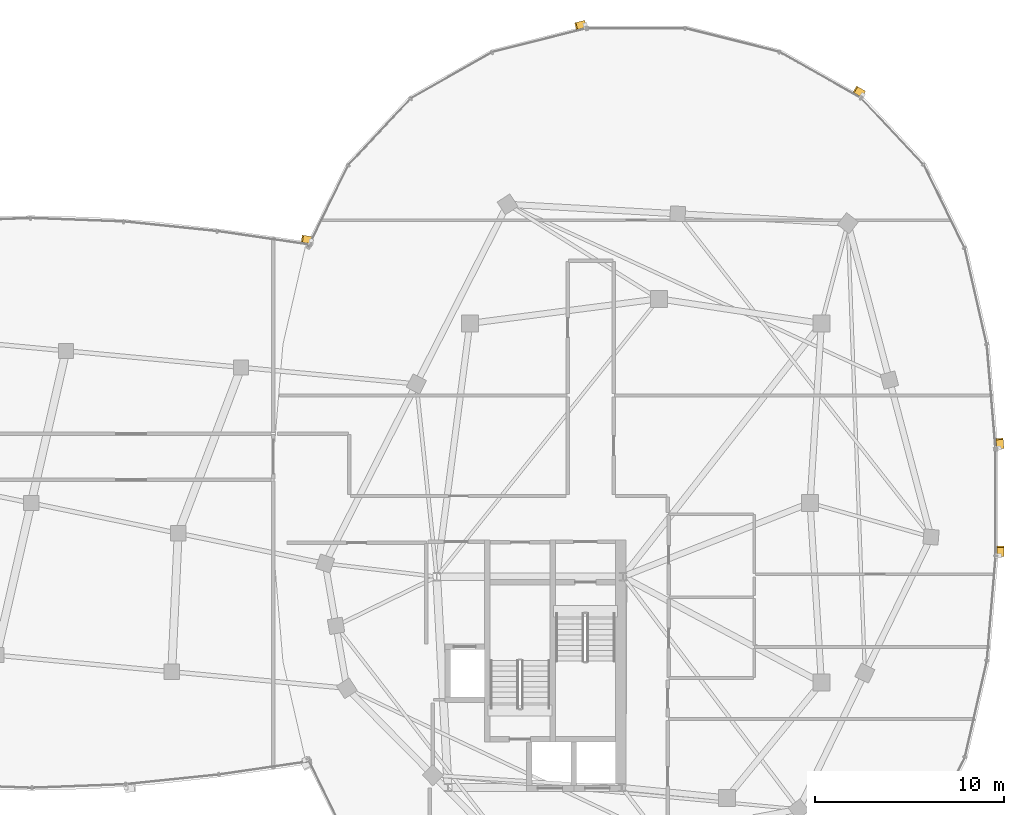
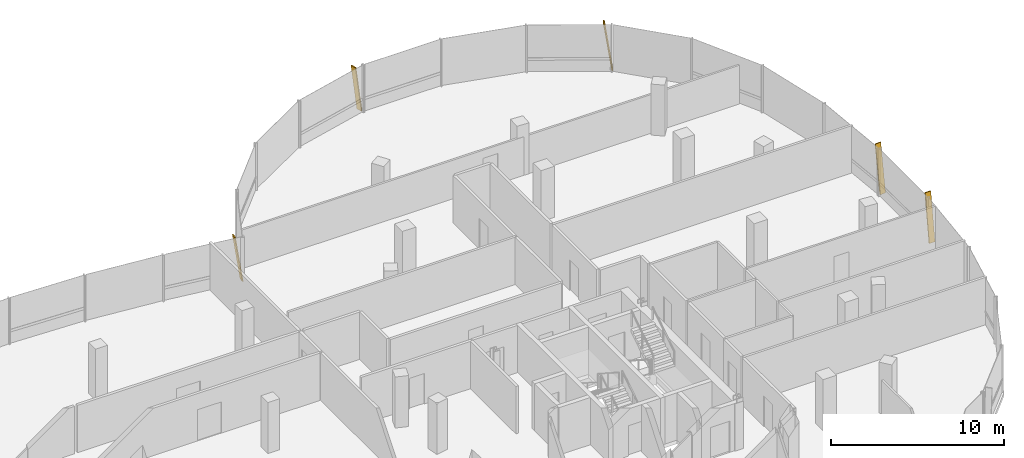
# One storey, part 26 of 26: 5 shading devices.
"""IFC4 building model written with IfcOpenShell, lengths in metres."""

from ifc_helpers import new_model, si_unit, direction, frame, origin, origin_2d, place, context, subcontext, project, spatial, rectangle, extrude, material, material_profile, profile_set, type_object, element, save


model = new_model("IFC4")

# Units and contexts
model_context = context("Model", 3, precision=1e-05, world=origin(), true_north=direction((0.0, 1.0)))
body_context = subcontext(model_context, "Body", "Model", "MODEL_VIEW")
ifc_project = project(units=[si_unit("LENGTHUNIT", "METRE"), si_unit("AREAUNIT", "SQUARE_METRE"), si_unit("VOLUMEUNIT", "CUBIC_METRE"), si_unit("PLANEANGLEUNIT", "RADIAN"), si_unit("MASSUNIT", "GRAM", prefix="KILO"), si_unit("THERMODYNAMICTEMPERATUREUNIT", "KELVIN"), si_unit("POWERUNIT", "WATT")], contexts=[model_context])

# Site, building, storey
site_placement = place(None, origin())
site = spatial("IfcSite", under=ifc_project, at=site_placement, CompositionType="ELEMENT")
building_placement = place(site_placement, origin())
building = spatial("IfcBuilding", under=site, at=building_placement, Name="Cundina Bronze Exchange", CompositionType="ELEMENT")
storey_placement = place(building_placement, frame((0.0, 0.0, 261.199951171875)))
storey = spatial("IfcBuildingStorey", under=building, at=storey_placement, Name="L69", CompositionType="ELEMENT", Elevation=261.199951171875)

# Shading devices
ifc_material = material(Name="Anodised Bronze Aluminium 6063-T6", Category="aluminium")
ifc_material_profile = material_profile(ifc_material, rectangle(XDim=0.070068359375, YDim=0.3798828125, at=origin_2d()), Name="FIN70X380", Category="aluminium")
ifc_profile_set = profile_set([ifc_material_profile], Name="Anodised Bronze Aluminium 6063-T6")
shading_device_type = type_object("IfcShadingDeviceType", Name="SHD-FIN-BRZ380", PredefinedType="USERDEFINED", material=ifc_profile_set)
for number, where, z_axis, x_axis, name in (
    (1, (51.26416015625, 2.90625, 0.02001953125), (-0.012006555776, 0.143419772964, 0.98958911238), (0.082555834947, -0.986139516224, 0.143921466983), "L69 Diagonal Bronze Solar Fin 1"),
    (2, (44.0126953125, 21.63720703125, 0.02001953125), (-0.125189514072, 0.071087145125, 0.989582843103), (0.860526986551, -0.488638423358, 0.143964567292), "L69 Diagonal Bronze Solar Fin 5"),
    (3, (29.290771484375, 25.343505859375, 0.02001953125), (-0.139611891367, -0.03514090606, 0.989582556693), (0.959650042543, 0.24154799183, 0.143966536007), "L69 Diagonal Bronze Solar Fin 1"),
    (4, (51.26904296875, -2.79150390625, 0.02001953125), (0.0, 0.143932024572, 0.989587576874), (0.0, -0.989587576874, 0.143932024572), "L69 Diagonal Bronze Solar Fin 5"),
):
    element("IfcShadingDevice", number, at=place(storey_placement, frame(where, z_axis=z_axis, x_axis=x_axis)), inside=storey, type_object=shading_device_type, Name=name, ObjectType="FIN", PredefinedType="USERDEFINED", context=body_context, shape_type="SweptSolid", body=[
        extrude(rectangle(XDim=0.070068359375, YDim=0.3798828125, at=origin_2d()), origin(), (0.0, 0.0, 1.0), 3.334716796875),
    ])
shading_device_placement = place(storey_placement, frame((14.8154296875, 13.90625, 0.02001953125), z_axis=(-0.145051508968, 0.021168873868, 0.989197623595), x_axis=(0.978828704224, -0.142850643371, 0.1465880673)))
element("IfcShadingDevice", 5, at=shading_device_placement, inside=storey, type_object=shading_device_type, Name="L69 Diagonal Bronze Solar Fin 1", ObjectType="FIN", PredefinedType="USERDEFINED", context=body_context, shape_type="SweptSolid", body=[
    extrude(rectangle(XDim=0.070068359375, YDim=0.3798828125, at=origin_2d()), origin(), (0.0, 0.0, 1.0), 3.275390625),
])

save(model, "model.ifc")
